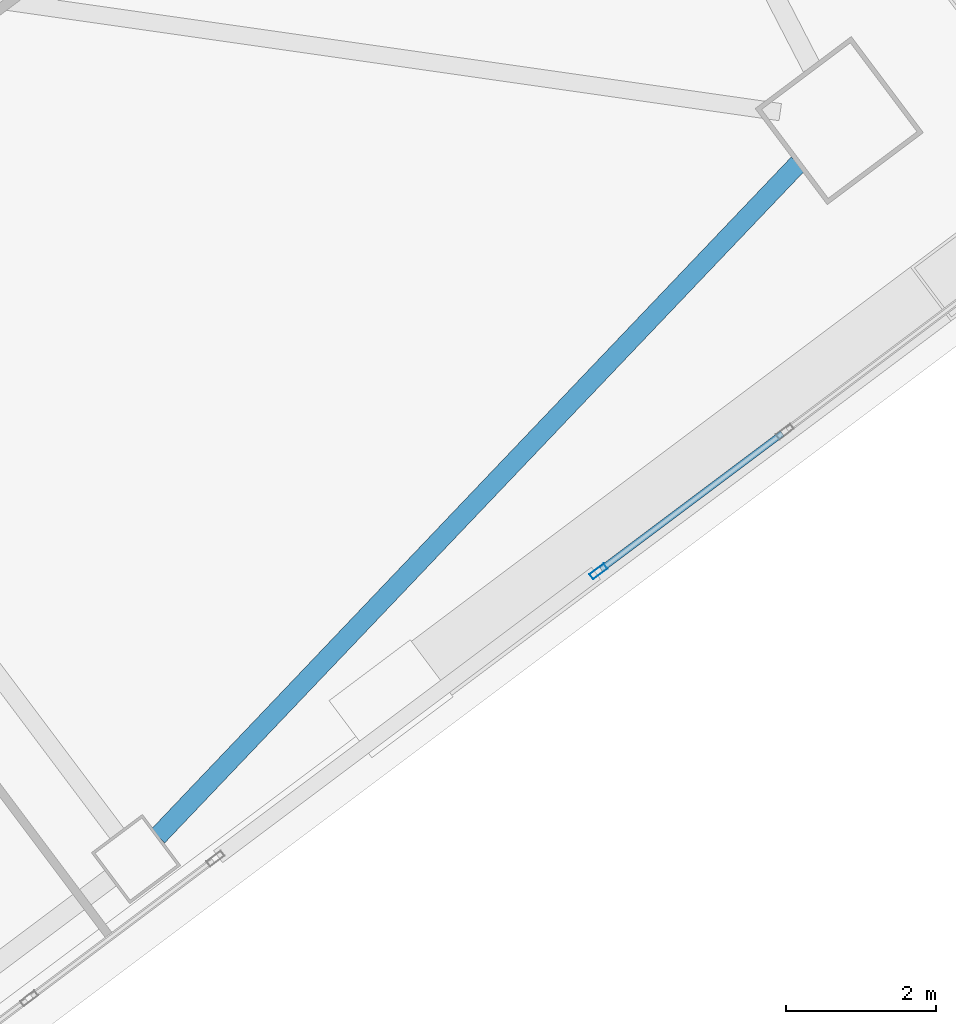
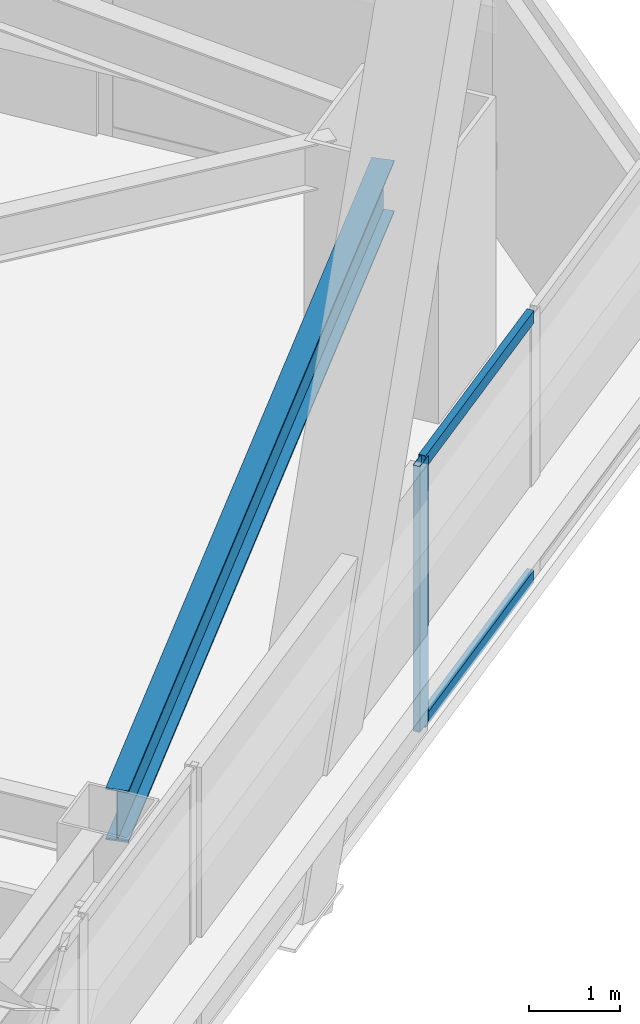
# One storey, part 45 of 75: 3 members, 1 beam, 1 element without a shape of its own.
"""IFC4 building model written with IfcOpenShell, lengths in metres."""

from ifc_helpers import new_model, si_unit, direction, frame, origin, origin_2d, place, context, subcontext, project, spatial, hollow_rectangle, i_section, extrude, material, material_profile, profile_set, type_object, element, aggregate, save


model = new_model("IFC4")

# Units and contexts
model_context = context("Model", 3, precision=1e-05, world=origin(), true_north=direction((0.0, 1.0)))
body_context = subcontext(model_context, "Body", "Model", "MODEL_VIEW")
ifc_project = project(units=[si_unit("LENGTHUNIT", "METRE"), si_unit("AREAUNIT", "SQUARE_METRE"), si_unit("VOLUMEUNIT", "CUBIC_METRE"), si_unit("PLANEANGLEUNIT", "RADIAN"), si_unit("MASSUNIT", "GRAM", prefix="KILO")], contexts=[model_context])

# Site, building, storey
site_placement = place(None, origin())
site = spatial("IfcSite", under=ifc_project, at=site_placement, CompositionType="ELEMENT")
building_placement = place(site_placement, origin())
building = spatial("IfcBuilding", under=site, at=building_placement, Name="Tashvorn Skyway Center", CompositionType="ELEMENT")
storey_placement = place(building_placement, frame((0.0, 0.0, 45.89990234375)))
storey = spatial("IfcBuildingStorey", under=building, at=storey_placement, Name="L11", CompositionType="ELEMENT", Elevation=45.89990234375)

# Beam
ifc_material_1 = material(Name="Steel ASTM A992 Grade 50", Category="steel")
ifc_material_profile_1 = material_profile(ifc_material_1, i_section(OverallWidth=0.256103515625, OverallDepth=0.693115234375, WebThickness=0.014404296875, FlangeThickness=0.023681640625, at=origin_2d()), Name="W27X114")
ifc_profile_set_1 = profile_set([ifc_material_profile_1], Name="Steel ASTM A992 Grade 50")
beam_type = type_object("IfcBeamType", Name="BM-SPANDREL-W27X114", PredefinedType="SPANDREL", material=ifc_profile_set_1)
beam_placement = place(storey_placement, frame((131.23974609375, 18.7041015625, 3.003662109375), z_axis=(0.689589637236, 0.724200339835, 0.0), x_axis=(-0.724200339835, 0.689589637236, 0.0)))
element("IfcBeam", 1, at=beam_placement, inside=storey, type_object=beam_type, Name="Tower 2 L11 Spandrel Beam 03", PredefinedType="SPANDREL", context=body_context, shape_type="SweptSolid", body=[
    extrude(i_section(OverallWidth=0.256103515625, OverallDepth=0.693115234375, WebThickness=0.014404296875, FlangeThickness=0.023681640625, at=origin_2d()), origin(), (0.0, 0.0, 1.0), 12.37255859375),
])

# Curtain wall, members
ifc_material_2 = material(Name="Thermally broken bronze-anodized aluminium 6063-T6", Category="aluminium")
curtain_wall_type = type_object("IfcCurtainWallType", Name="CW-CW-Z1", PredefinedType="NOTDEFINED", material=ifc_material_2)
curtain_wall_placement = place(storey_placement, origin())
curtain_wall = element("IfcCurtainWall", 2, at=curtain_wall_placement, inside=storey, type_object=curtain_wall_type, Name="Tower 2 L11 South Unitised Curtain Wall Glazing Group 1", PredefinedType="NOTDEFINED")
ifc_material_profile_2 = material_profile(ifc_material_2, hollow_rectangle(XDim=0.0849609375, YDim=0.239990234375, WallThickness=0.0048828125, at=origin_2d()), Name="ALU-MULL-85x240")
ifc_profile_set_2 = profile_set([ifc_material_profile_2], Name="Thermally broken bronze-anodized aluminium 6063-T6")
member_type_1 = type_object("IfcMemberType", Name="CWM-CW-Z1", PredefinedType="MULLION", material=ifc_profile_set_2)
member_1_placement = place(storey_placement, frame((137.111328125, 22.2333984375, 0.0), z_axis=(0.0, 0.0, 1.0), x_axis=(0.599997457641, -0.800001906763, 0.0)))
member_1 = element("IfcMember", 3, at=member_1_placement, type_object=member_type_1, Name="CW-Z1 mullion 3", PredefinedType="MULLION", context=body_context, shape_type="SweptSolid", body=[
    extrude(hollow_rectangle(XDim=0.0849609375, YDim=0.239990234375, WallThickness=0.0048828125, at=origin_2d()), origin(), (0.0, 0.0, 1.0), 3.550048828125),
])
ifc_material_profile_3 = material_profile(ifc_material_2, hollow_rectangle(XDim=0.0849609375, YDim=0.1650390625, WallThickness=0.0048828125, at=origin_2d()), Name="ALU-TRAN-85x165")
ifc_profile_set_3 = profile_set([ifc_material_profile_3], Name="Thermally broken bronze-anodized aluminium 6063-T6")
member_type_2 = type_object("IfcMemberType", Name="CWT-CW-Z1", PredefinedType="USERDEFINED", material=ifc_profile_set_3)
member_2_placement = place(storey_placement, frame((139.560546875, 24.070556640625, 0.04248046875), z_axis=(-0.799990296182, -0.600012938206, 0.0), x_axis=(0.600012938206, -0.799990296182, 0.0)))
member_2 = element("IfcMember", 4, at=member_2_placement, type_object=member_type_2, Name="CW-Z1 transom 2.1", ObjectType="TRANSOM", PredefinedType="USERDEFINED", context=body_context, shape_type="SweptSolid", body=[
    extrude(hollow_rectangle(XDim=0.0849609375, YDim=0.1650390625, WallThickness=0.0048828125, at=origin_2d()), origin(), (0.0, 0.0, 1.0), 3.01904296875),
])
member_3_placement = place(storey_placement, frame((139.560546875, 24.070556640625, 3.507568359375), z_axis=(-0.799990296182, -0.600012938206, 0.0), x_axis=(0.600012938206, -0.799990296182, 0.0)))
member_3 = element("IfcMember", 5, at=member_3_placement, type_object=member_type_2, Name="CW-Z1 transom 2.2", ObjectType="TRANSOM", PredefinedType="USERDEFINED", context=body_context, shape_type="SweptSolid", body=[
    extrude(hollow_rectangle(XDim=0.0849609375, YDim=0.1650390625, WallThickness=0.0048828125, at=origin_2d()), origin(), (0.0, 0.0, 1.0), 3.01904296875),
])
aggregate(curtain_wall, [member_1, member_2, member_3])

save(model, "model.ifc")
